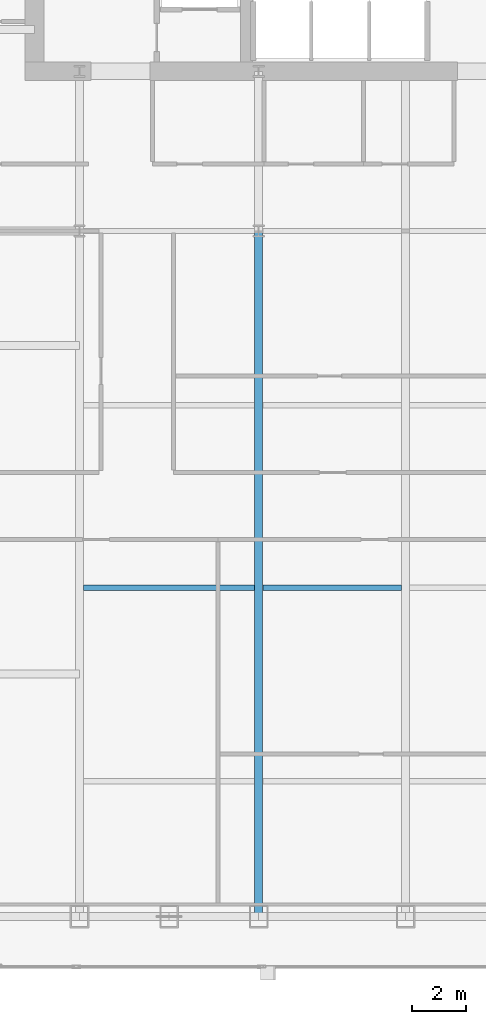
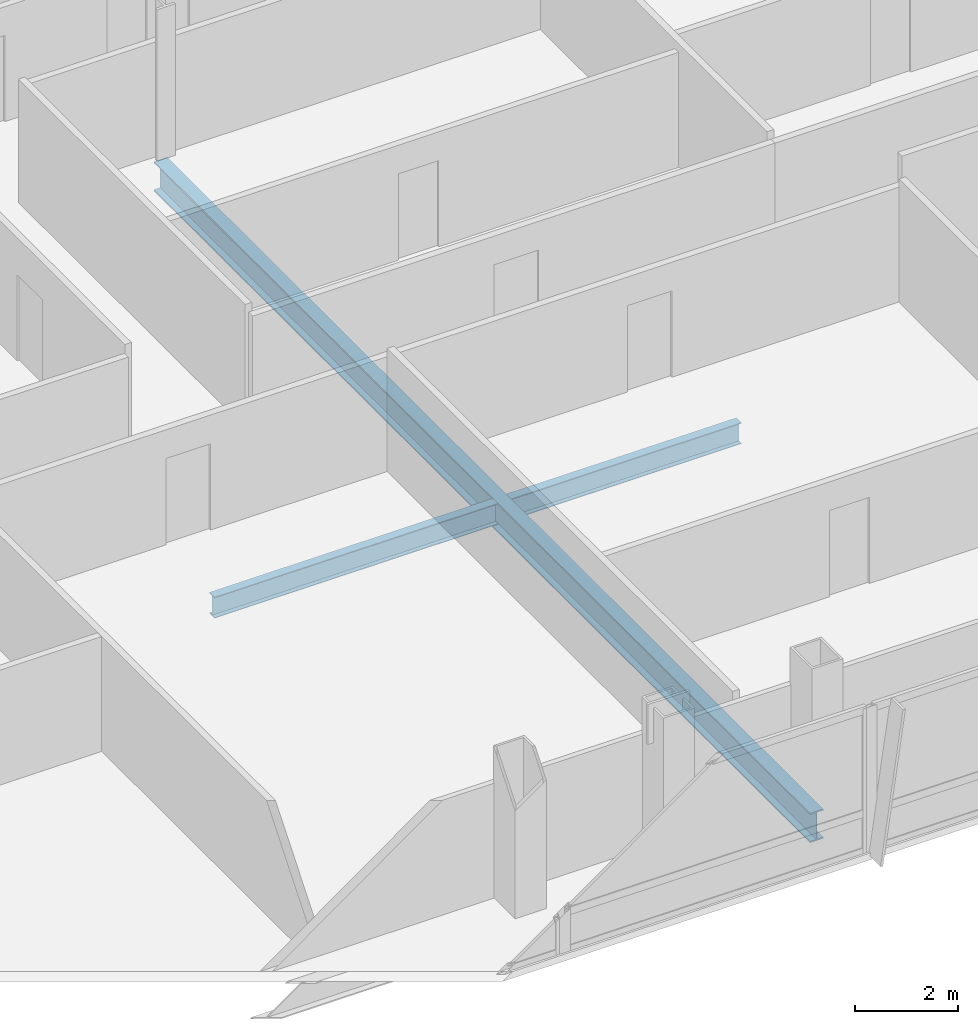
# One storey, part 9 of 29: 3 beams.
"""IFC4 building model written with IfcOpenShell, lengths in metres."""

from ifc_helpers import new_model, si_unit, direction, frame, origin, origin_2d, place, context, subcontext, project, spatial, i_section, extrude, material, material_profile, profile_set, type_object, element, save


model = new_model("IFC4")

# Units and contexts
model_context = context("Model", 3, precision=1e-05, world=origin(), true_north=direction((0.0, 1.0)))
body_context = subcontext(model_context, "Body", "Model", "MODEL_VIEW")
ifc_project = project(units=[si_unit("LENGTHUNIT", "METRE"), si_unit("AREAUNIT", "SQUARE_METRE"), si_unit("VOLUMEUNIT", "CUBIC_METRE"), si_unit("PLANEANGLEUNIT", "RADIAN"), si_unit("MASSUNIT", "GRAM", prefix="KILO")], contexts=[model_context])

# Site, building, storey
site_placement = place(None, origin())
site = spatial("IfcSite", under=ifc_project, at=site_placement, CompositionType="ELEMENT")
building_placement = place(site_placement, origin())
building = spatial("IfcBuilding", under=site, at=building_placement, Name="Khoronbel Lancet Exchange", CompositionType="ELEMENT")
storey_placement = place(building_placement, frame((0.0, 0.0, 143.39990234375)))
storey = spatial("IfcBuildingStorey", under=building, at=storey_placement, Name="L35", CompositionType="ELEMENT", Elevation=143.39990234375)

# Beams
ifc_material = material(Name="Steel S355", Category="steel")
ifc_material_profile_1 = material_profile(ifc_material, i_section(OverallWidth=0.300048828125, OverallDepth=0.699951171875, WebThickness=0.01708984375, FlangeThickness=0.031982421875, at=origin_2d()), Name="HEB 700")
ifc_profile_set_1 = profile_set([ifc_material_profile_1], Name="Steel S355")
beam_type_1 = type_object("IfcBeamType", Name="BM-BG3", PredefinedType="BEAM", material=ifc_profile_set_1)
beam_1_placement = place(storey_placement, frame((24.89990234375, 10.14990234375, -0.510009765625), z_axis=(0.0, 1.0, 0.0), x_axis=(-1.0, 0.0, 0.0)))
element("IfcBeam", 1, at=beam_1_placement, inside=storey, type_object=beam_type_1, Name="Level L35 south primary girder GS2", PredefinedType="BEAM", context=body_context, shape_type="SweptSolid", body=[
    extrude(i_section(OverallWidth=0.300048828125, OverallDepth=0.699951171875, WebThickness=0.01708984375, FlangeThickness=0.031982421875, at=origin_2d()), origin(), (0.0, 0.0, 1.0), 25.550048828125),
])
ifc_material_profile_2 = material_profile(ifc_material, i_section(OverallWidth=0.199951171875, OverallDepth=0.5, WebThickness=0.01025390625, FlangeThickness=0.01611328125, at=origin_2d()), Name="IPE 500")
ifc_profile_set_2 = profile_set([ifc_material_profile_2], Name="Steel S355")
beam_type_2 = type_object("IfcBeamType", Name="BM-BJ3", PredefinedType="JOIST", material=ifc_profile_set_2)
beam_2_placement = place(storey_placement, frame((18.375, 22.39990234375, -0.409912109375), z_axis=(1.0, 0.0, 0.0), x_axis=(0.0, 1.0, 0.0)))
element("IfcBeam", 2, at=beam_2_placement, inside=storey, type_object=beam_type_2, Name="Level L35 secondary composite joist J06", PredefinedType="JOIST", context=body_context, shape_type="SweptSolid", body=[
    extrude(i_section(OverallWidth=0.199951171875, OverallDepth=0.5, WebThickness=0.01025390625, FlangeThickness=0.01611328125, at=origin_2d()), origin(), (0.0, 0.0, 1.0), 6.375),
])
beam_3_placement = place(storey_placement, frame((25.050048828125, 22.39990234375, -0.409912109375), z_axis=(1.0, 0.0, 0.0), x_axis=(0.0, 1.0, 0.0)))
element("IfcBeam", 3, at=beam_3_placement, inside=storey, type_object=beam_type_2, Name="Level L35 secondary composite joist J07", PredefinedType="JOIST", context=body_context, shape_type="SweptSolid", body=[
    extrude(i_section(OverallWidth=0.199951171875, OverallDepth=0.5, WebThickness=0.01025390625, FlangeThickness=0.01611328125, at=origin_2d()), origin(), (0.0, 0.0, 1.0), 5.175048828125),
])

save(model, "model.ifc")
